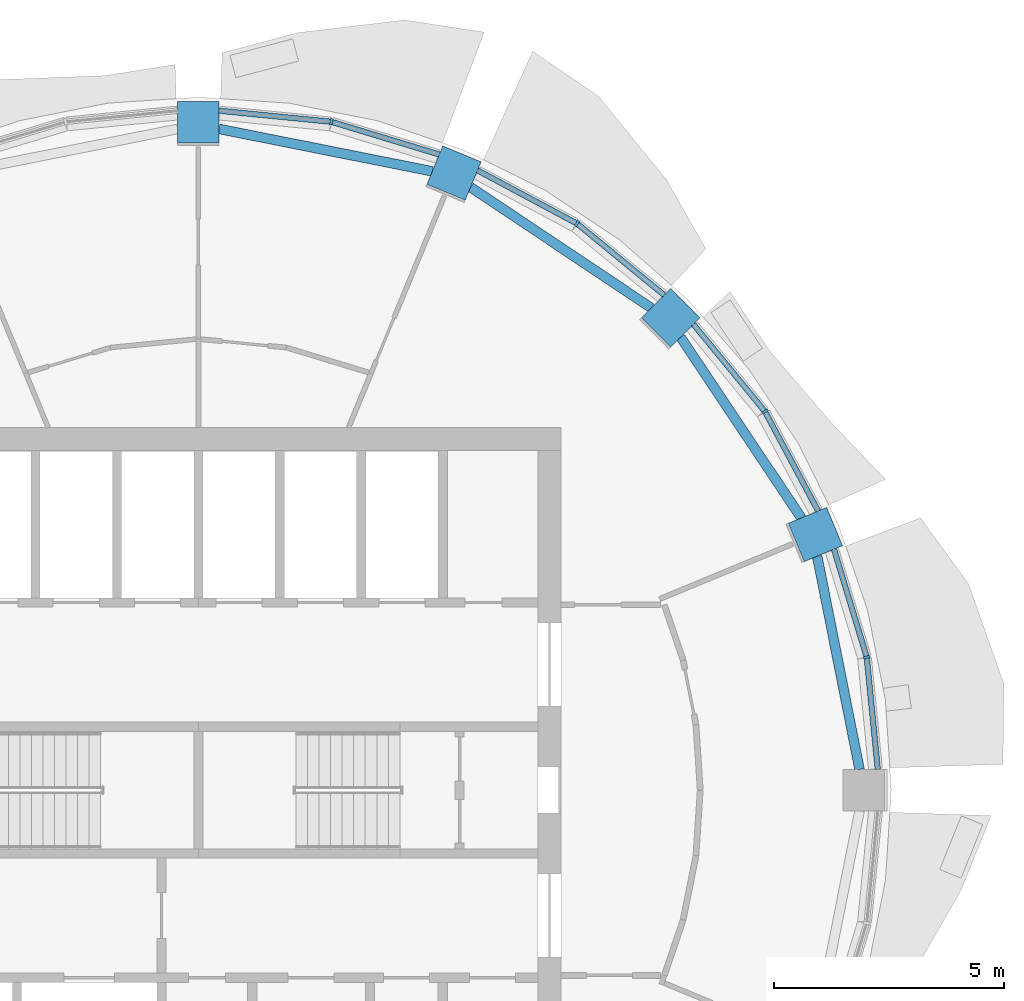
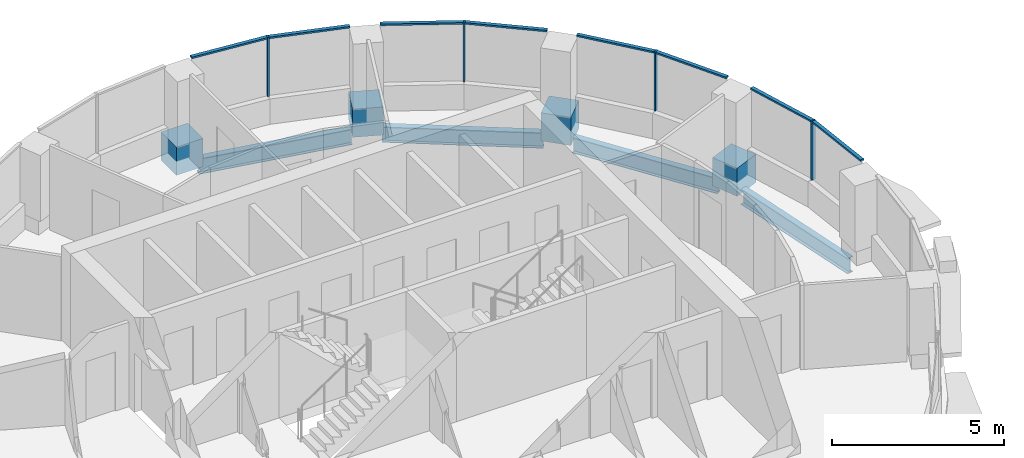
# One storey, part 5 of 14: 16 members, 4 beams, 4 elements without a shape of their own.
"""IFC4 building model written with IfcOpenShell, lengths in metres."""

from ifc_helpers import new_model, si_unit, direction, frame, origin, origin_2d, place, context, subcontext, project, spatial, rectangle, i_section, extrude, material, material_profile, profile_set, type_object, element, aggregate, save


model = new_model("IFC4")

# Units and contexts
model_context = context("Model", 3, precision=1e-05, world=origin(), true_north=direction((0.0, 1.0)))
body_context = subcontext(model_context, "Body", "Model", "MODEL_VIEW")
ifc_project = project(units=[si_unit("LENGTHUNIT", "METRE"), si_unit("AREAUNIT", "SQUARE_METRE"), si_unit("VOLUMEUNIT", "CUBIC_METRE"), si_unit("PLANEANGLEUNIT", "RADIAN"), si_unit("MASSUNIT", "GRAM", prefix="KILO")], contexts=[model_context])

# Site, building, storey
site_placement = place(None, origin())
site = spatial("IfcSite", under=ifc_project, at=site_placement, CompositionType="ELEMENT")
building_placement = place(site_placement, origin())
building = spatial("IfcBuilding", under=site, at=building_placement, Name="Polderwave Tower", CompositionType="ELEMENT")
storey_placement = place(building_placement, frame((0.0, 0.0, 227.85009765625)))
storey = spatial("IfcBuildingStorey", under=building, at=storey_placement, Name="L62", CompositionType="ELEMENT", Elevation=227.85009765625)

# Curtain wall, member
ifc_material_1 = material(Name="Aluminium 6063-T6 and glass", Category="aluminium")
curtain_wall_type = type_object("IfcCurtainWallType", Name="Office ribbon glazing wall", PredefinedType="NOTDEFINED", material=ifc_material_1)
curtain_wall_1_placement = place(storey_placement, origin())
curtain_wall_1 = element("IfcCurtainWall", 1, at=curtain_wall_1_placement, inside=storey, type_object=curtain_wall_type, Name="CW3 L62 00", PredefinedType="NOTDEFINED")
ifc_material_2 = material(Name="Aluminium 6063-T6", Category="aluminium")
ifc_material_profile_1 = material_profile(ifc_material_2, rectangle(XDim=0.139892578125, YDim=0.054931640625, at=origin_2d()), Name="AL 55x140")
ifc_profile_set_1 = profile_set([ifc_material_profile_1], Name="Aluminium 6063-T6")
member_type_1 = type_object("IfcMemberType", Name="Office ribbon glazing mullion 55x140", PredefinedType="MULLION", material=ifc_profile_set_1)
member_1_placement = place(storey_placement, frame((14.51611328125, 2.886962890625, 0.89990234375), z_axis=(0.0, 0.0, 1.0), x_axis=(-0.980788004282, -0.195076627651, 0.0)))
member_1 = element("IfcMember", 2, at=member_1_placement, type_object=member_type_1, Name="CW3 mullion 1", PredefinedType="MULLION", context=body_context, shape_type="SweptSolid", body=[
    extrude(rectangle(XDim=0.139892578125, YDim=0.054931640625, at=origin_2d()), origin(), (0.0, 0.0, 1.0), 2.10009765625),
])

curtain_wall_2_placement = place(storey_placement, origin())
curtain_wall_2 = element("IfcCurtainWall", 3, at=curtain_wall_2_placement, inside=storey, type_object=curtain_wall_type, Name="CW3 L62 01", PredefinedType="NOTDEFINED")
member_2_placement = place(storey_placement, frame((12.305908203125, 8.221923828125, 0.89990234375), z_axis=(0.0, 0.0, 1.0), x_axis=(-0.83150257904, -0.555520891641, 0.0)))
member_2 = element("IfcMember", 4, at=member_2_placement, type_object=member_type_1, Name="CW3 mullion 1", PredefinedType="MULLION", context=body_context, shape_type="SweptSolid", body=[
    extrude(rectangle(XDim=0.139892578125, YDim=0.054931640625, at=origin_2d()), origin(), (0.0, 0.0, 1.0), 2.10009765625),
])

curtain_wall_3_placement = place(storey_placement, origin())
curtain_wall_3 = element("IfcCurtainWall", 5, at=curtain_wall_3_placement, inside=storey, type_object=curtain_wall_type, Name="CW3 L62 02", PredefinedType="NOTDEFINED")
member_3_placement = place(storey_placement, frame((8.221923828125, 12.305908203125, 0.89990234375), z_axis=(0.0, 0.0, 1.0), x_axis=(-0.555520891641, -0.83150257904, 0.0)))
member_3 = element("IfcMember", 6, at=member_3_placement, type_object=member_type_1, Name="CW3 mullion 1", PredefinedType="MULLION", context=body_context, shape_type="SweptSolid", body=[
    extrude(rectangle(XDim=0.139892578125, YDim=0.054931640625, at=origin_2d()), origin(), (0.0, 0.0, 1.0), 2.10009765625),
])

curtain_wall_4_placement = place(storey_placement, origin())
curtain_wall_4 = element("IfcCurtainWall", 7, at=curtain_wall_4_placement, inside=storey, type_object=curtain_wall_type, Name="CW3 L62 03", PredefinedType="NOTDEFINED")
member_4_placement = place(storey_placement, frame((2.886962890625, 14.51611328125, 0.89990234375), z_axis=(0.0, 0.0, 1.0), x_axis=(-0.195076627651, -0.980788004282, 0.0)))
member_4 = element("IfcMember", 8, at=member_4_placement, type_object=member_type_1, Name="CW3 mullion 1", PredefinedType="MULLION", context=body_context, shape_type="SweptSolid", body=[
    extrude(rectangle(XDim=0.139892578125, YDim=0.054931640625, at=origin_2d()), origin(), (0.0, 0.0, 1.0), 2.10009765625),
])

# Member
ifc_material_profile_2 = material_profile(ifc_material_2, rectangle(XDim=0.1201171875, YDim=0.06005859375, at=origin_2d()), Name="AL 60x120")
ifc_profile_set_2 = profile_set([ifc_material_profile_2], Name="Aluminium 6063-T6")
member_type_2 = type_object("IfcMemberType", Name="Office ribbon glazing transom 60x120", PredefinedType="USERDEFINED", material=ifc_profile_set_2)
member_5_placement = place(storey_placement, frame((14.756103515625, 0.449951171875, 2.969970703125), z_axis=(-0.098006140559, 0.995185809994, 0.0), x_axis=(-0.995185809994, -0.098006140559, 0.0)))
member_5 = element("IfcMember", 9, at=member_5_placement, type_object=member_type_2, Name="CW3 transom 1", ObjectType="TRANSOM", PredefinedType="USERDEFINED", context=body_context, shape_type="SweptSolid", body=[
    extrude(rectangle(XDim=0.1201171875, YDim=0.06005859375, at=origin_2d()), origin(), (0.0, 0.0, 1.0), 2.42138671875),
])

member_6_placement = place(storey_placement, frame((14.508056640625, 2.913330078125, 2.969970703125), z_axis=(-0.290315133049, 0.956931096539, 0.0), x_axis=(-0.956931096539, -0.290315133049, 0.0)))
member_6 = element("IfcMember", 10, at=member_6_placement, type_object=member_type_2, Name="CW3 transom 2", ObjectType="TRANSOM", PredefinedType="USERDEFINED", context=body_context, shape_type="SweptSolid", body=[
    extrude(rectangle(XDim=0.1201171875, YDim=0.06005859375, at=origin_2d()), origin(), (0.0, 0.0, 1.0), 2.421875),
])

aggregate(curtain_wall_1, [member_1, member_5, member_6])

member_7_placement = place(storey_placement, frame((13.4599609375, 6.06298828125, 2.969970703125), z_axis=(-0.471336691944, 0.881953356379, 0.0), x_axis=(-0.881953356379, -0.471336691944, 0.0)))
member_7 = element("IfcMember", 11, at=member_7_placement, type_object=member_type_2, Name="CW3 transom 1", ObjectType="TRANSOM", PredefinedType="USERDEFINED", context=body_context, shape_type="SweptSolid", body=[
    extrude(rectangle(XDim=0.1201171875, YDim=0.06005859375, at=origin_2d()), origin(), (0.0, 0.0, 1.0), 2.42041015625),
])

member_8_placement = place(storey_placement, frame((12.28857421875, 8.243408203125, 2.969970703125), z_axis=(-0.634356767429, 0.773040420429, 0.0), x_axis=(-0.773040420429, -0.634356767429, 0.0)))
member_8 = element("IfcMember", 12, at=member_8_placement, type_object=member_type_2, Name="CW3 transom 2", ObjectType="TRANSOM", PredefinedType="USERDEFINED", context=body_context, shape_type="SweptSolid", body=[
    extrude(rectangle(XDim=0.1201171875, YDim=0.06005859375, at=origin_2d()), origin(), (0.0, 0.0, 1.0), 2.42236328125),
])

aggregate(curtain_wall_2, [member_2, member_7, member_8])

member_9_placement = place(storey_placement, frame((10.115966796875, 10.751953125, 2.969970703125), z_axis=(-0.773040420429, 0.634356767429, 0.0), x_axis=(-0.634356767429, -0.773040420429, 0.0)))
member_9 = element("IfcMember", 13, at=member_9_placement, type_object=member_type_2, Name="CW3 transom 1", ObjectType="TRANSOM", PredefinedType="USERDEFINED", context=body_context, shape_type="SweptSolid", body=[
    extrude(rectangle(XDim=0.1201171875, YDim=0.06005859375, at=origin_2d()), origin(), (0.0, 0.0, 1.0), 2.42236328125),
])

member_10_placement = place(storey_placement, frame((8.19775390625, 12.319091796875, 2.969970703125), z_axis=(-0.881953356379, 0.471336691944, 0.0), x_axis=(-0.471336691944, -0.881953356379, 0.0)))
member_10 = element("IfcMember", 14, at=member_10_placement, type_object=member_type_2, Name="CW3 transom 2", ObjectType="TRANSOM", PredefinedType="USERDEFINED", context=body_context, shape_type="SweptSolid", body=[
    extrude(rectangle(XDim=0.1201171875, YDim=0.06005859375, at=origin_2d()), origin(), (0.0, 0.0, 1.0), 2.42041015625),
])

aggregate(curtain_wall_3, [member_3, member_9, member_10])

member_11_placement = place(storey_placement, frame((5.23095703125, 13.804931640625, 2.969970703125), z_axis=(-0.956931096539, 0.290315133049, 0.0), x_axis=(-0.290315133049, -0.956931096539, 0.0)))
member_11 = element("IfcMember", 15, at=member_11_placement, type_object=member_type_2, Name="CW3 transom 1", ObjectType="TRANSOM", PredefinedType="USERDEFINED", context=body_context, shape_type="SweptSolid", body=[
    extrude(rectangle(XDim=0.1201171875, YDim=0.06005859375, at=origin_2d()), origin(), (0.0, 0.0, 1.0), 2.421875),
])

member_12_placement = place(storey_placement, frame((2.859619140625, 14.518798828125, 2.969970703125), z_axis=(-0.995185809994, 0.098006140559, 0.0), x_axis=(-0.098006140559, -0.995185809994, 0.0)))
member_12 = element("IfcMember", 16, at=member_12_placement, type_object=member_type_2, Name="CW3 transom 2", ObjectType="TRANSOM", PredefinedType="USERDEFINED", context=body_context, shape_type="SweptSolid", body=[
    extrude(rectangle(XDim=0.1201171875, YDim=0.06005859375, at=origin_2d()), origin(), (0.0, 0.0, 1.0), 2.42138671875),
])

aggregate(curtain_wall_4, [member_4, member_11, member_12])

# Members
ifc_material_3 = material(Name="Concrete C60/75", Category="concrete")
ifc_material_profile_3 = material_profile(ifc_material_3, rectangle(XDim=0.89990234375, YDim=0.89990234375, at=origin_2d()), Name="RC 900x900")
ifc_profile_set_3 = profile_set([ifc_material_profile_3], Name="Concrete C60/75")
member_type_3 = type_object("IfcMemberType", Name="RC NODE 900x900 C60/75", PredefinedType="POST", material=ifc_profile_set_3)
for number, where, z_axis, x_axis, name in (
    (17, (13.40185546875, 5.55126953125, -0.5), (0.0, 0.0, 1.0), (0.923879532511, 0.382683432365, 0.0), "Ring column node 02"),
    (18, (10.25732421875, 10.25732421875, -0.5), (0.0, 0.0, 1.0), (0.707106781187, 0.707106781187, 0.0), "Ring column node 03"),
    (19, (5.55126953125, 13.40185546875, -0.5), (0.0, 0.0, 1.0), (0.382683432365, 0.923879532511, 0.0), "Ring column node 04"),
    (20, (0.0, 14.505859375, -0.5), (0.0, 0.0, 1.0), (0.0, 1.0, 0.0), "Ring column node 05"),
):
    element("IfcMember", number, at=place(storey_placement, frame(where, z_axis=z_axis, x_axis=x_axis)), inside=storey, type_object=member_type_3, Name=name, PredefinedType="POST", context=body_context, shape_type="SweptSolid", body=[
        extrude(rectangle(XDim=0.89990234375, YDim=0.89990234375, at=origin_2d()), origin(), (0.0, 0.0, 1.0), 1.0),
    ])

# Beams
ifc_material_4 = material(Name="Steel S355", Category="steel")
ifc_material_profile_4 = material_profile(ifc_material_4, i_section(OverallWidth=0.2099609375, OverallDepth=0.550048828125, WebThickness=0.010986328125, FlangeThickness=0.01708984375, at=origin_2d()), Name="IPE 550")
ifc_profile_set_4 = profile_set([ifc_material_profile_4], Name="Steel S355")
beam_type = type_object("IfcBeamType", Name="RING BEAM IPE 550", PredefinedType="BEAM", material=ifc_profile_set_4)
beam_1_placement = place(storey_placement, frame((14.360595703125, 0.449951171875, -0.625), z_axis=(-0.195131408172, 0.980777106964, 0.0), x_axis=(-0.980777106964, -0.195131408172, 0.0)))
element("IfcBeam", 21, at=beam_1_placement, inside=storey, type_object=beam_type, Name="ST-RB-L62-00", PredefinedType="BEAM", context=body_context, shape_type="SweptSolid", body=[
    extrude(i_section(OverallWidth=0.2099609375, OverallDepth=0.550048828125, WebThickness=0.010986328125, FlangeThickness=0.01708984375, at=origin_2d()), origin(), (0.0, 0.0, 1.0), 4.720703125),
])
for number, where, z_axis, x_axis, name in (
    (22, (13.09521484375, 5.911376953125, -0.625), (-0.555583113094, 0.831461005968, 0.0), (-0.831461005968, -0.555583113094, 0.0), "ST-RB-L62-01"),
    (23, (9.836181640625, 10.47265625, -0.625), (-0.831461005968, 0.555583113094, 0.0), (-0.555583113094, -0.831461005968, 0.0), "ST-RB-L62-02"),
):
    element("IfcBeam", number, at=place(storey_placement, frame(where, z_axis=z_axis, x_axis=x_axis)), inside=storey, type_object=beam_type, Name=name, PredefinedType="BEAM", context=body_context, shape_type="SweptSolid", body=[
        extrude(i_section(OverallWidth=0.2099609375, OverallDepth=0.550048828125, WebThickness=0.010986328125, FlangeThickness=0.01708984375, at=origin_2d()), origin(), (0.0, 0.0, 1.0), 4.720458984375),
    ])
beam_2_placement = place(storey_placement, frame((5.079833984375, 13.439453125, -0.625), z_axis=(-0.980777106964, 0.195131408172, 0.0), x_axis=(-0.195131408172, -0.980777106964, 0.0)))
element("IfcBeam", 24, at=beam_2_placement, inside=storey, type_object=beam_type, Name="ST-RB-L62-03", PredefinedType="BEAM", context=body_context, shape_type="SweptSolid", body=[
    extrude(i_section(OverallWidth=0.2099609375, OverallDepth=0.550048828125, WebThickness=0.010986328125, FlangeThickness=0.01708984375, at=origin_2d()), origin(), (0.0, 0.0, 1.0), 4.720703125),
])

save(model, "model.ifc")
